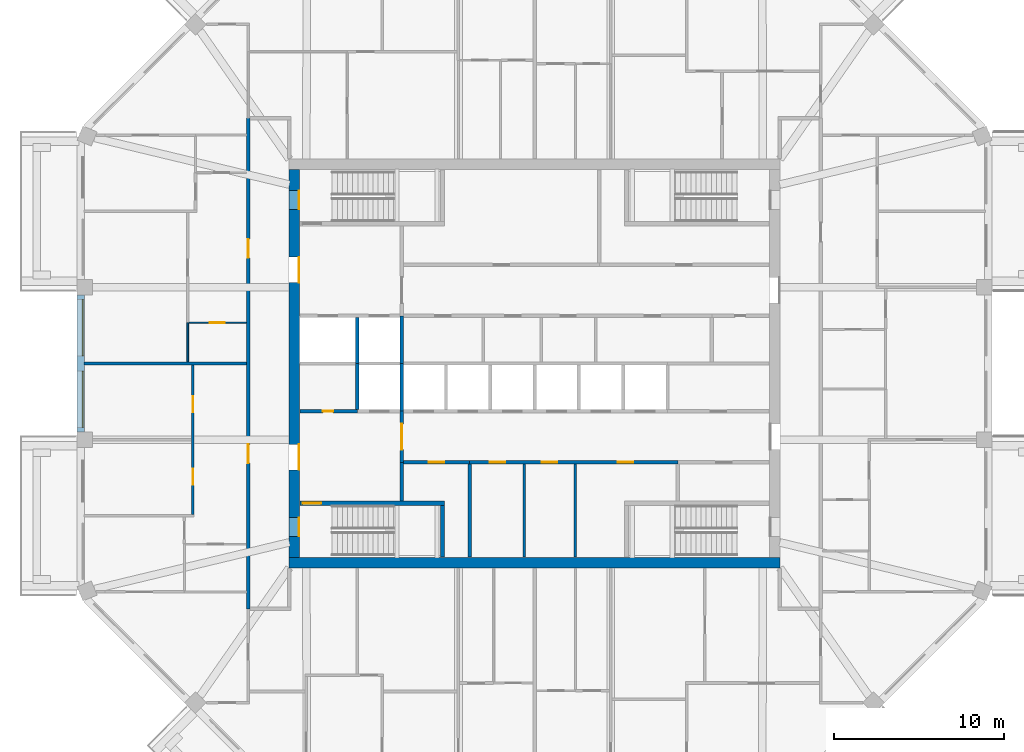
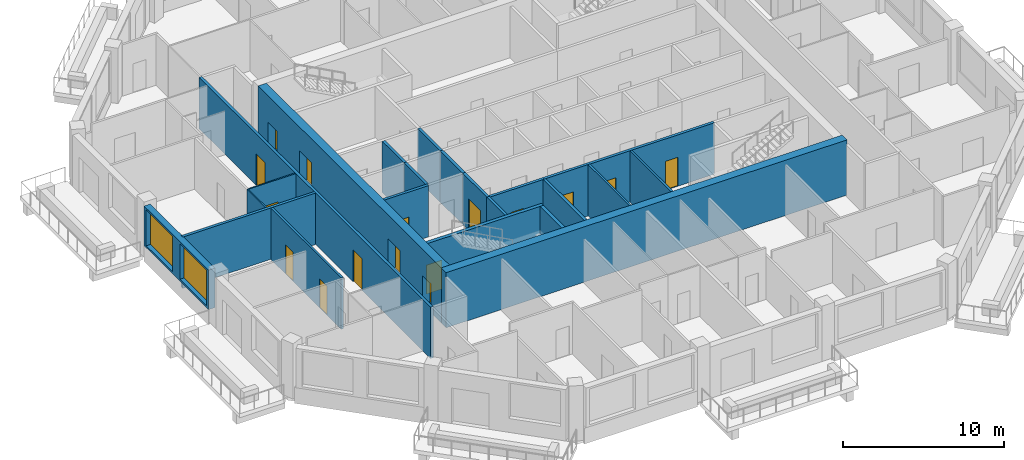
# One storey, part 4 of 12: 22 walls, 16 doors, 2 windows, 18 openings.
"""IFC4 building model written with IfcOpenShell, lengths in metres."""

from ifc_helpers import new_model, si_unit, direction, frame, frame_2d, origin, place, context, subcontext, project, spatial, rectangle, extrude, material, layer, layer_set, type_object, element, fill, save


model = new_model("IFC4")

# Units and contexts
model_context = context("Model", 3, precision=1e-05, world=origin(), true_north=direction((0.0, 1.0)))
body_context = subcontext(model_context, "Body", "Model", "MODEL_VIEW")
ifc_project = project(units=[si_unit("LENGTHUNIT", "METRE"), si_unit("AREAUNIT", "SQUARE_METRE"), si_unit("VOLUMEUNIT", "CUBIC_METRE"), si_unit("PLANEANGLEUNIT", "RADIAN"), si_unit("MASSUNIT", "GRAM", prefix="KILO")], contexts=[model_context])

# Site, building, storey
site_placement = place(None, origin())
site = spatial("IfcSite", under=ifc_project, at=site_placement, CompositionType="ELEMENT")
building_placement = place(site_placement, origin())
building = spatial("IfcBuilding", under=site, at=building_placement, Name="Msitu Wima Residences", CompositionType="ELEMENT")
storey_placement = place(building_placement, frame((0.0, 0.0, 310.5)))
storey = spatial("IfcBuildingStorey", under=building, at=storey_placement, Name="L72", CompositionType="ELEMENT", Elevation=310.5)

# Wall, openings, windows
ifc_material_1 = material(Name="Brick (red buff mix)", Category="masonry")
ifc_layer_1 = layer(ifc_material_1, 0.449951171875)
ifc_layer_set_1 = layer_set([ifc_layer_1], Name="Brick (red buff mix)")
wall_type_1 = type_object("IfcWallType", Name="Brick infill wall BW450", PredefinedType="SOLIDWALL", material=ifc_layer_set_1)
wall_1_placement = place(storey_placement, frame((-26.625, 4.0185546875, 0.89990234375), z_axis=(0.0, 0.0, 1.0), x_axis=(0.0, -1.0, 0.0)))
wall_1 = element("IfcWall", 1, at=wall_1_placement, inside=storey, type_object=wall_type_1, Name="Brick infill wall L72 W1", PredefinedType="SOLIDWALL", context=body_context, shape_type="SweptSolid", body=[
    extrude(rectangle(XDim=8.037109375, YDim=0.449951171875, at=frame_2d((4.0185546875, 0.0))), origin(), (0.0, 0.0, 1.0), 3.0),
])
opening_1_placement = place(wall_1_placement, frame((0.2685546875, 0.0, 0.14990234375)))
opening_1 = element("IfcOpeningElement", 2, at=opening_1_placement, cuts=wall_1, Name="Opening W72.028", PredefinedType="OPENING", context=body_context, shape_type="SweptSolid", body=[
    extrude(rectangle(XDim=3.300048828125, YDim=2.699951171875, at=frame_2d((1.64990234375, 1.35009765625))), frame((0.0, 0.23486328125, 0.0), z_axis=(0.0, -1.0, 0.0), x_axis=(1.0, 0.0, 0.0)), (0.0, 0.0, 1.0), 0.469970703125),
])
opening_2_placement = place(wall_1_placement, frame((4.46875, 0.0, 0.14990234375)))
opening_2 = element("IfcOpeningElement", 3, at=opening_2_placement, cuts=wall_1, Name="Opening W72.029", PredefinedType="OPENING", context=body_context, shape_type="SweptSolid", body=[
    extrude(rectangle(XDim=3.300048828125, YDim=2.699951171875, at=frame_2d((1.64990234375, 1.35009765625))), frame((0.0, 0.23486328125, 0.0), z_axis=(0.0, -1.0, 0.0), x_axis=(1.0, 0.0, 0.0)), (0.0, 0.0, 1.0), 0.469970703125),
])
ifc_material_2 = material(Name="Anodised aluminium, bronze finish, clear low-emissivity double glazing", Category="aluminium")
window_type = type_object("IfcWindowType", Name="Window W3300x2700", PartitioningType="DOUBLE_PANEL_VERTICAL", PredefinedType="WINDOW", material=ifc_material_2)
window_1_placement = place(opening_1_placement, origin())
window_1 = element("IfcWindow", 4, at=window_1_placement, inside=storey, type_object=window_type, Name="Window L72 W1.1", OverallHeight=2.699951171875, OverallWidth=3.300048828125, PartitioningType="SINGLE_PANEL", PredefinedType="WINDOW", context=body_context, shape_type="SweptSolid", body=[
    extrude(rectangle(XDim=3.300048828125, YDim=2.699951171875, at=frame_2d((1.64990234375, 1.35009765625))), frame((0.0, 0.135009765625, 0.0), z_axis=(0.0, -1.0, 0.0), x_axis=(1.0, 0.0, 0.0)), (0.0, 0.0, 1.0), 0.06005859375),
])
fill(opening_1, window_1)
window_2_placement = place(opening_2_placement, origin())
window_2 = element("IfcWindow", 5, at=window_2_placement, inside=storey, type_object=window_type, Name="Window L72 W1.2", OverallHeight=2.699951171875, OverallWidth=3.300048828125, PartitioningType="SINGLE_PANEL", PredefinedType="WINDOW", context=body_context, shape_type="SweptSolid", body=[
    extrude(rectangle(XDim=3.300048828125, YDim=2.699951171875, at=frame_2d((1.64990234375, 1.35009765625))), frame((0.0, 0.135009765625, 0.0), z_axis=(0.0, -1.0, 0.0), x_axis=(1.0, 0.0, 0.0)), (0.0, 0.0, 1.0), 0.06005859375),
])
fill(opening_2, window_2)

# Wall
ifc_material_3 = material(Name="Concrete C50/60", Category="concrete")
ifc_layer_2 = layer(ifc_material_3, 0.60009765625)
ifc_layer_set_2 = layer_set([ifc_layer_2], Name="Concrete C50/60")
wall_type_2 = type_object("IfcWallType", Name="Core wall CW600 C50/60", PredefinedType="SHEAR", material=ifc_layer_set_2)
wall_2_placement = place(storey_placement, frame((-14.39990234375, -11.699951171875, 0.0), z_axis=(0.0, 0.0, 1.0), x_axis=(1.0, 0.0, 0.0)))
element("IfcWall", 6, at=wall_2_placement, inside=storey, type_object=wall_type_2, Name="Core wall", PredefinedType="SHEAR", context=body_context, shape_type="SweptSolid", body=[
    extrude(rectangle(XDim=28.7998046875, YDim=0.60009765625, at=frame_2d((14.39990234375, 0.0))), origin(), (0.0, 0.0, 1.0), 4.199951171875),
])

# Wall, openings, doors
wall_3_placement = place(storey_placement, frame((-14.10009765625, -11.39990234375, 0.0), z_axis=(0.0, 0.0, 1.0), x_axis=(0.0, 1.0, 0.0)))
wall_3 = element("IfcWall", 7, at=wall_3_placement, inside=storey, type_object=wall_type_2, Name="Core wall", PredefinedType="SHEAR", context=body_context, shape_type="SweptSolid", body=[
    extrude(rectangle(XDim=22.7998046875, YDim=0.60009765625, at=frame_2d((11.39990234375, 0.0))), origin(), (0.0, 0.0, 1.0), 4.199951171875),
])
opening_3_placement = place(wall_3_placement, frame((20.449951171875, 0.0, 0.0)))
opening_3 = element("IfcOpeningElement", 8, at=opening_3_placement, cuts=wall_3, Name="Opening D72.084", PredefinedType="OPENING", context=body_context, shape_type="SweptSolid", body=[
    extrude(rectangle(XDim=1.10009765625, YDim=2.199951171875, at=frame_2d((0.550048828125, 1.10009765625))), frame((0.0, 0.31005859375, 0.0), z_axis=(0.0, -1.0, 0.0), x_axis=(1.0, 0.0, 0.0)), (0.0, 0.0, 1.0), 0.6201171875),
])
opening_4_placement = place(wall_3_placement, frame((1.25, 0.0, 0.0)))
opening_4 = element("IfcOpeningElement", 9, at=opening_4_placement, cuts=wall_3, Name="Opening D72.086", PredefinedType="OPENING", context=body_context, shape_type="SweptSolid", body=[
    extrude(rectangle(XDim=1.10009765625, YDim=2.199951171875, at=frame_2d((0.550048828125, 1.10009765625))), frame((0.0, 0.31005859375, 0.0), z_axis=(0.0, -1.0, 0.0), x_axis=(1.0, 0.0, 0.0)), (0.0, 0.0, 1.0), 0.6201171875),
])
opening_5_placement = place(wall_3_placement, frame((16.14990234375, 0.0, 0.0)))
opening_5 = element("IfcOpeningElement", 10, at=opening_5_placement, cuts=wall_3, Name="Opening D72.065", PredefinedType="OPENING", context=body_context, shape_type="SweptSolid", body=[
    extrude(rectangle(XDim=1.5, YDim=2.39990234375, at=frame_2d((0.75, 1.199951171875))), frame((0.0, 0.31005859375, 0.0), z_axis=(0.0, -1.0, 0.0), x_axis=(1.0, 0.0, 0.0)), (0.0, 0.0, 1.0), 0.6201171875),
])
opening_6_placement = place(wall_3_placement, frame((5.14990234375, 0.0, 0.0)))
opening_6 = element("IfcOpeningElement", 11, at=opening_6_placement, cuts=wall_3, Name="Opening D72.067", PredefinedType="OPENING", context=body_context, shape_type="SweptSolid", body=[
    extrude(rectangle(XDim=1.5, YDim=2.39990234375, at=frame_2d((0.75, 1.199951171875))), frame((0.0, 0.31005859375, 0.0), z_axis=(0.0, -1.0, 0.0), x_axis=(1.0, 0.0, 0.0)), (0.0, 0.0, 1.0), 0.6201171875),
])
ifc_material_4 = material(Name="Steel framed glazed door, fire resisting", Category="steel")
door_type_1 = type_object("IfcDoorType", Name="Lobby door D07 1500x2400", OperationType="DOUBLE_DOOR_SINGLE_SWING", PredefinedType="DOOR", material=ifc_material_4)
door_1_placement = place(opening_5_placement, origin())
door_1 = element("IfcDoor", 12, at=door_1_placement, inside=storey, type_object=door_type_1, Name="Lobby door", OperationType="DOUBLE_DOOR_SINGLE_SWING", OverallHeight=2.39990234375, OverallWidth=1.5, PredefinedType="DOOR", context=body_context, shape_type="SweptSolid", body=[
    extrude(rectangle(XDim=1.5, YDim=2.39990234375, at=frame_2d((0.75, 1.199951171875))), frame((0.0, -0.2451171875, 0.0), z_axis=(0.0, -1.0, 0.0), x_axis=(1.0, 0.0, 0.0)), (0.0, 0.0, 1.0), 0.050048828125),
])
fill(opening_5, door_1)
door_2_placement = place(opening_6_placement, origin())
door_2 = element("IfcDoor", 13, at=door_2_placement, inside=storey, type_object=door_type_1, Name="Lobby door", OperationType="DOUBLE_DOOR_SINGLE_SWING", OverallHeight=2.39990234375, OverallWidth=1.5, PredefinedType="DOOR", context=body_context, shape_type="SweptSolid", body=[
    extrude(rectangle(XDim=1.5, YDim=2.39990234375, at=frame_2d((0.75, 1.199951171875))), frame((0.0, -0.2451171875, 0.0), z_axis=(0.0, -1.0, 0.0), x_axis=(1.0, 0.0, 0.0)), (0.0, 0.0, 1.0), 0.050048828125),
])
fill(opening_6, door_2)
ifc_material_5 = material(Name="Steel door, fire resisting, panic bar", Category="steel")
door_type_2 = type_object("IfcDoorType", Name="Stair door D06 1100x2200", OperationType="SINGLE_SWING_LEFT", PredefinedType="DOOR", material=ifc_material_5)
door_3_placement = place(opening_3_placement, origin())
door_3 = element("IfcDoor", 14, at=door_3_placement, inside=storey, type_object=door_type_2, Name="Stair door", OperationType="SINGLE_SWING_RIGHT", OverallHeight=2.199951171875, OverallWidth=1.10009765625, PredefinedType="DOOR", context=body_context, shape_type="SweptSolid", body=[
    extrude(rectangle(XDim=1.10009765625, YDim=2.199951171875, at=frame_2d((0.550048828125, 1.10009765625))), frame((0.0, -0.2451171875, 0.0), z_axis=(0.0, -1.0, 0.0), x_axis=(1.0, 0.0, 0.0)), (0.0, 0.0, 1.0), 0.050048828125),
])
fill(opening_3, door_3)
door_4_placement = place(opening_4_placement, origin())
door_4 = element("IfcDoor", 15, at=door_4_placement, inside=storey, type_object=door_type_2, Name="Stair door", OperationType="SINGLE_SWING_LEFT", OverallHeight=2.199951171875, OverallWidth=1.10009765625, PredefinedType="DOOR", context=body_context, shape_type="SweptSolid", body=[
    extrude(rectangle(XDim=1.10009765625, YDim=2.199951171875, at=frame_2d((0.550048828125, 1.10009765625))), frame((0.0, -0.2451171875, 0.0), z_axis=(0.0, -1.0, 0.0), x_axis=(1.0, 0.0, 0.0)), (0.0, 0.0, 1.0), 0.050048828125),
])
fill(opening_4, door_4)

ifc_material_6 = material(Name="Plaster")
ifc_layer_3 = layer(ifc_material_6, 0.011962890625, Name="Plaster")
ifc_material_7 = material(Name="Concrete blockwork", Category="masonry")
ifc_layer_4 = layer(ifc_material_7, 0.176025390625, Name="Concrete blockwork")
ifc_layer_5 = layer(ifc_material_6, 0.011962890625, Name="Plaster")
ifc_layer_set_3 = layer_set([ifc_layer_3, ifc_layer_4, ifc_layer_5], Name="Concrete blockwork")
wall_type_3 = type_object("IfcWallType", Name="Corridor wall FW200", PredefinedType="PARTITIONING", material=ifc_layer_set_3)
wall_4_placement = place(storey_placement, frame((-16.800048828125, -14.39990234375, 0.0), z_axis=(0.0, 0.0, 1.0), x_axis=(0.0, 1.0, 0.0)))
wall_4 = element("IfcWall", 16, at=wall_4_placement, inside=storey, type_object=wall_type_3, Name="Corridor wall", PredefinedType="PARTITIONING", context=body_context, shape_type="SweptSolid", body=[
    extrude(rectangle(XDim=28.7998046875, YDim=0.199951171875, at=frame_2d((14.39990234375, 0.0))), origin(), (0.0, 0.0, 1.0), 3.89990234375),
])
opening_7_placement = place(wall_4_placement, frame((20.60009765625, 0.0, 0.0)))
opening_7 = element("IfcOpeningElement", 17, at=opening_7_placement, cuts=wall_4, Name="Opening D72.037", PredefinedType="OPENING", context=body_context, shape_type="SweptSolid", body=[
    extrude(rectangle(XDim=1.10009765625, YDim=2.39990234375, at=frame_2d((0.550048828125, 1.199951171875))), frame((0.0, 0.10986328125, 0.0), z_axis=(0.0, -1.0, 0.0), x_axis=(1.0, 0.0, 0.0)), (0.0, 0.0, 1.0), 0.219970703125),
])
opening_8_placement = place(wall_4_placement, frame((8.550048828125, 0.0, 0.0)))
opening_8 = element("IfcOpeningElement", 18, at=opening_8_placement, cuts=wall_4, Name="Opening D72.050", PredefinedType="OPENING", context=body_context, shape_type="SweptSolid", body=[
    extrude(rectangle(XDim=1.10009765625, YDim=2.39990234375, at=frame_2d((0.550048828125, 1.199951171875))), frame((0.0, 0.10986328125, 0.0), z_axis=(0.0, -1.0, 0.0), x_axis=(1.0, 0.0, 0.0)), (0.0, 0.0, 1.0), 0.219970703125),
])
ifc_material_8 = material(Name="Timber flush door, fire resisting, self-closing", Category="wood")
door_type_3 = type_object("IfcDoorType", Name="Flat entrance door D01 1100x2400", OperationType="SINGLE_SWING_LEFT", PredefinedType="DOOR", material=ifc_material_8)
door_5_placement = place(opening_7_placement, origin())
door_5 = element("IfcDoor", 19, at=door_5_placement, inside=storey, type_object=door_type_3, Name="Flat entrance door", OperationType="SINGLE_SWING_RIGHT", OverallHeight=2.39990234375, OverallWidth=1.10009765625, PredefinedType="DOOR", context=body_context, shape_type="SweptSolid", body=[
    extrude(rectangle(XDim=1.10009765625, YDim=2.39990234375, at=frame_2d((0.550048828125, 1.199951171875))), frame((0.0, 0.02490234375, 0.0), z_axis=(0.0, -1.0, 0.0), x_axis=(1.0, 0.0, 0.0)), (0.0, 0.0, 1.0), 0.050048828125),
])
fill(opening_7, door_5)
door_6_placement = place(opening_8_placement, origin())
door_6 = element("IfcDoor", 20, at=door_6_placement, inside=storey, type_object=door_type_3, Name="Flat entrance door", OperationType="SINGLE_SWING_LEFT", OverallHeight=2.39990234375, OverallWidth=1.10009765625, PredefinedType="DOOR", context=body_context, shape_type="SweptSolid", body=[
    extrude(rectangle(XDim=1.10009765625, YDim=2.39990234375, at=frame_2d((0.550048828125, 1.199951171875))), frame((0.0, 0.02490234375, 0.0), z_axis=(0.0, -1.0, 0.0), x_axis=(1.0, 0.0, 0.0)), (0.0, 0.0, 1.0), 0.050048828125),
])
fill(opening_8, door_6)

# Wall, opening, door
wall_5_placement = place(storey_placement, frame((-7.800048828125, -5.800048828125, 0.0), z_axis=(0.0, 0.0, 1.0), x_axis=(0.0, 1.0, 0.0)))
wall_5 = element("IfcWall", 21, at=wall_5_placement, inside=storey, type_object=wall_type_3, Name="Corridor wall", PredefinedType="PARTITIONING", context=body_context, shape_type="SweptSolid", body=[
    extrude(rectangle(XDim=3.0, YDim=0.199951171875, at=frame_2d((1.5, 0.0))), origin(), (0.0, 0.0, 1.0), 3.89990234375),
])
opening_9_placement = place(wall_5_placement, frame((0.75, 0.0, 0.0)))
opening_9 = element("IfcOpeningElement", 22, at=opening_9_placement, cuts=wall_5, Name="Opening D72.068", PredefinedType="OPENING", context=body_context, shape_type="SweptSolid", body=[
    extrude(rectangle(XDim=1.5, YDim=2.39990234375, at=frame_2d((0.75, 1.199951171875))), frame((0.0, 0.10986328125, 0.0), z_axis=(0.0, -1.0, 0.0), x_axis=(1.0, 0.0, 0.0)), (0.0, 0.0, 1.0), 0.219970703125),
])
door_7_placement = place(opening_9_placement, origin())
door_7 = element("IfcDoor", 23, at=door_7_placement, inside=storey, type_object=door_type_1, Name="Lobby door", OperationType="DOUBLE_DOOR_SINGLE_SWING", OverallHeight=2.39990234375, OverallWidth=1.5, PredefinedType="DOOR", context=body_context, shape_type="SweptSolid", body=[
    extrude(rectangle(XDim=1.5, YDim=2.39990234375, at=frame_2d((0.75, 1.199951171875))), frame((0.0, 0.02490234375, 0.0), z_axis=(0.0, -1.0, 0.0), x_axis=(1.0, 0.0, 0.0)), (0.0, 0.0, 1.0), 0.050048828125),
])
fill(opening_9, door_7)

# Wall, openings, doors
wall_6_placement = place(storey_placement, frame((-3.820068359375, -5.800048828125, 0.0), z_axis=(0.0, 0.0, 1.0), x_axis=(1.0, 0.0, 0.0)))
wall_6 = element("IfcWall", 24, at=wall_6_placement, inside=storey, type_object=wall_type_3, Name="Corridor wall", PredefinedType="PARTITIONING", context=body_context, shape_type="SweptSolid", body=[
    extrude(rectangle(XDim=12.239990234375, YDim=0.199951171875, at=frame_2d((6.1201171875, 0.0))), origin(), (0.0, 0.0, 1.0), 3.89990234375),
])
opening_10_placement = place(wall_6_placement, frame((1.199951171875, 0.0, 0.0)))
opening_10 = element("IfcOpeningElement", 25, at=opening_10_placement, cuts=wall_6, Name="Opening D72.072", PredefinedType="OPENING", context=body_context, shape_type="SweptSolid", body=[
    extrude(rectangle(XDim=0.89990234375, YDim=2.199951171875, at=frame_2d((0.449951171875, 1.10009765625))), frame((0.0, 0.10986328125, 0.0), z_axis=(0.0, -1.0, 0.0), x_axis=(1.0, 0.0, 0.0)), (0.0, 0.0, 1.0), 0.219970703125),
])
opening_11_placement = place(wall_6_placement, frame((4.25, 0.0, 0.0)))
opening_11 = element("IfcOpeningElement", 26, at=opening_11_placement, cuts=wall_6, Name="Opening D72.073", PredefinedType="OPENING", context=body_context, shape_type="SweptSolid", body=[
    extrude(rectangle(XDim=0.89990234375, YDim=2.199951171875, at=frame_2d((0.449951171875, 1.10009765625))), frame((0.0, 0.10986328125, 0.0), z_axis=(0.0, -1.0, 0.0), x_axis=(1.0, 0.0, 0.0)), (0.0, 0.0, 1.0), 0.219970703125),
])
opening_12_placement = place(wall_6_placement, frame((8.699951171875, 0.0, 0.0)))
opening_12 = element("IfcOpeningElement", 27, at=opening_12_placement, cuts=wall_6, Name="Opening D72.074", PredefinedType="OPENING", context=body_context, shape_type="SweptSolid", body=[
    extrude(rectangle(XDim=0.89990234375, YDim=2.199951171875, at=frame_2d((0.449951171875, 1.10009765625))), frame((0.0, 0.10986328125, 0.0), z_axis=(0.0, -1.0, 0.0), x_axis=(1.0, 0.0, 0.0)), (0.0, 0.0, 1.0), 0.219970703125),
])
ifc_material_9 = material(Name="Timber flush door", Category="wood")
door_type_4 = type_object("IfcDoorType", Name="Service door D05 900x2200", OperationType="SINGLE_SWING_LEFT", PredefinedType="DOOR", material=ifc_material_9)
door_8_placement = place(opening_10_placement, origin())
door_8 = element("IfcDoor", 28, at=door_8_placement, inside=storey, type_object=door_type_4, Name="Service door", OperationType="SINGLE_SWING_LEFT", OverallHeight=2.199951171875, OverallWidth=0.89990234375, PredefinedType="DOOR", context=body_context, shape_type="SweptSolid", body=[
    extrude(rectangle(XDim=0.89990234375, YDim=2.199951171875, at=frame_2d((0.449951171875, 1.10009765625))), frame((0.0, 0.02490234375, 0.0), z_axis=(0.0, -1.0, 0.0), x_axis=(1.0, 0.0, 0.0)), (0.0, 0.0, 1.0), 0.050048828125),
])
fill(opening_10, door_8)
door_9_placement = place(opening_11_placement, origin())
door_9 = element("IfcDoor", 29, at=door_9_placement, inside=storey, type_object=door_type_4, Name="Service door", OperationType="SINGLE_SWING_RIGHT", OverallHeight=2.199951171875, OverallWidth=0.89990234375, PredefinedType="DOOR", context=body_context, shape_type="SweptSolid", body=[
    extrude(rectangle(XDim=0.89990234375, YDim=2.199951171875, at=frame_2d((0.449951171875, 1.10009765625))), frame((0.0, 0.02490234375, 0.0), z_axis=(0.0, -1.0, 0.0), x_axis=(1.0, 0.0, 0.0)), (0.0, 0.0, 1.0), 0.050048828125),
])
fill(opening_11, door_9)
door_10_placement = place(opening_12_placement, origin())
door_10 = element("IfcDoor", 30, at=door_10_placement, inside=storey, type_object=door_type_4, Name="Service door", OperationType="SINGLE_SWING_RIGHT", OverallHeight=2.199951171875, OverallWidth=0.89990234375, PredefinedType="DOOR", context=body_context, shape_type="SweptSolid", body=[
    extrude(rectangle(XDim=0.89990234375, YDim=2.199951171875, at=frame_2d((0.449951171875, 1.10009765625))), frame((0.0, 0.02490234375, 0.0), z_axis=(0.0, -1.0, 0.0), x_axis=(1.0, 0.0, 0.0)), (0.0, 0.0, 1.0), 0.050048828125),
])
fill(opening_12, door_10)

ifc_layer_6 = layer(ifc_material_6, 0.011962890625, Name="Plaster")
ifc_layer_7 = layer(ifc_material_7, 0.1259765625, Name="Concrete blockwork")
ifc_layer_8 = layer(ifc_material_6, 0.011962890625, Name="Plaster")
ifc_layer_set_4 = layer_set([ifc_layer_6, ifc_layer_7, ifc_layer_8], Name="Concrete blockwork")
wall_type_4 = type_object("IfcWallType", Name="Partition PW150", PredefinedType="PARTITIONING", material=ifc_layer_set_4)
wall_7_placement = place(storey_placement, frame((-20.050048828125, -8.8623046875, 0.0), z_axis=(0.0, 0.0, 1.0), x_axis=(0.0, 1.0, 0.0)))
wall_7 = element("IfcWall", 31, at=wall_7_placement, inside=storey, type_object=wall_type_4, Name="Partition", PredefinedType="PARTITIONING", context=body_context, shape_type="SweptSolid", body=[
    extrude(rectangle(XDim=8.76220703125, YDim=0.14990234375, at=frame_2d((4.381103515625, 0.0))), origin(), (0.0, 0.0, 1.0), 3.89990234375),
])
opening_13_placement = place(wall_7_placement, frame((6.0, 0.0, 0.0)))
opening_13 = element("IfcOpeningElement", 32, at=opening_13_placement, cuts=wall_7, Name="Opening D72.056", PredefinedType="OPENING", context=body_context, shape_type="SweptSolid", body=[
    extrude(rectangle(XDim=0.949951171875, YDim=2.199951171875, at=frame_2d((0.47509765625, 1.10009765625))), frame((0.0, 0.0849609375, 0.0), z_axis=(0.0, -1.0, 0.0), x_axis=(1.0, 0.0, 0.0)), (0.0, 0.0, 1.0), 0.169921875),
])
opening_14_placement = place(wall_7_placement, frame((1.75, 0.0, 0.0)))
opening_14 = element("IfcOpeningElement", 33, at=opening_14_placement, cuts=wall_7, Name="Opening D72.057", PredefinedType="OPENING", context=body_context, shape_type="SweptSolid", body=[
    extrude(rectangle(XDim=0.949951171875, YDim=2.199951171875, at=frame_2d((0.47509765625, 1.10009765625))), frame((0.0, 0.0849609375, 0.0), z_axis=(0.0, -1.0, 0.0), x_axis=(1.0, 0.0, 0.0)), (0.0, 0.0, 1.0), 0.169921875),
])
door_type_5 = type_object("IfcDoorType", Name="Room door D12 950x2200", OperationType="SINGLE_SWING_LEFT", PredefinedType="DOOR", material=ifc_material_9)
door_11_placement = place(opening_13_placement, origin())
door_11 = element("IfcDoor", 34, at=door_11_placement, inside=storey, type_object=door_type_5, Name="Room door", OperationType="SINGLE_SWING_LEFT", OverallHeight=2.199951171875, OverallWidth=0.949951171875, PredefinedType="DOOR", context=body_context, shape_type="SweptSolid", body=[
    extrude(rectangle(XDim=0.949951171875, YDim=2.199951171875, at=frame_2d((0.47509765625, 1.10009765625))), frame((0.0, 0.02490234375, 0.0), z_axis=(0.0, -1.0, 0.0), x_axis=(1.0, 0.0, 0.0)), (0.0, 0.0, 1.0), 0.050048828125),
])
fill(opening_13, door_11)
door_12_placement = place(opening_14_placement, origin())
door_12 = element("IfcDoor", 35, at=door_12_placement, inside=storey, type_object=door_type_5, Name="Room door", OperationType="SINGLE_SWING_RIGHT", OverallHeight=2.199951171875, OverallWidth=0.949951171875, PredefinedType="DOOR", context=body_context, shape_type="SweptSolid", body=[
    extrude(rectangle(XDim=0.949951171875, YDim=2.199951171875, at=frame_2d((0.47509765625, 1.10009765625))), frame((0.0, 0.02490234375, 0.0), z_axis=(0.0, -1.0, 0.0), x_axis=(1.0, 0.0, 0.0)), (0.0, 0.0, 1.0), 0.050048828125),
])
fill(opening_14, door_12)

# Walls
for number, where, z_axis, x_axis, name in (
    (36, (-0.60009765625, -11.3701171875, 0.0), (0.0, 0.0, 1.0), (0.0, 1.0, 0.0), "Partition"),
    (37, (2.39990234375, -11.3701171875, 0.0), (0.0, 0.0, 1.0), (0.0, 1.0, 0.0), "Partition"),
):
    element("IfcWall", number, at=place(storey_placement, frame(where, z_axis=z_axis, x_axis=x_axis)), inside=storey, type_object=wall_type_4, Name=name, PredefinedType="PARTITIONING", context=body_context, shape_type="SweptSolid", body=[
        extrude(rectangle(XDim=5.47021484375, YDim=0.14990234375, at=frame_2d((2.735107421875, 0.0))), origin(), (0.0, 0.0, 1.0), 3.89990234375),
    ])
ifc_layer_9 = layer(ifc_material_6, 0.011962890625, Name="Plaster")
ifc_material_10 = material(Name="Dense concrete blockwork", Category="masonry")
ifc_layer_10 = layer(ifc_material_10, 0.176025390625, Name="Dense concrete blockwork")
ifc_layer_11 = layer(ifc_material_6, 0.011962890625, Name="Plaster")
ifc_layer_set_5 = layer_set([ifc_layer_9, ifc_layer_10, ifc_layer_11], Name="Dense concrete blockwork")
wall_type_5 = type_object("IfcWallType", Name="Party wall PW200", PredefinedType="PARTITIONING", material=ifc_layer_set_5)
wall_8_placement = place(storey_placement, frame((-26.455078125, 0.0, 0.0), z_axis=(0.0, 0.0, 1.0), x_axis=(1.0, 0.0, 0.0)))
element("IfcWall", 38, at=wall_8_placement, inside=storey, type_object=wall_type_5, Name="Party wall", PredefinedType="PARTITIONING", context=body_context, shape_type="SweptSolid", body=[
    extrude(rectangle(XDim=9.55517578125, YDim=0.199951171875, at=frame_2d((4.777587890625, 0.0))), origin(), (0.0, 0.0, 1.0), 3.89990234375),
])

# Wall, opening, door
ifc_layer_12 = layer(ifc_material_6, 0.011962890625, Name="Plaster")
ifc_material_11 = material(Name="Reinforced concrete blockwork", Category="masonry")
ifc_layer_13 = layer(ifc_material_11, 0.176025390625, Name="Reinforced concrete blockwork")
ifc_layer_14 = layer(ifc_material_6, 0.011962890625, Name="Plaster")
ifc_layer_set_6 = layer_set([ifc_layer_12, ifc_layer_13, ifc_layer_14], Name="Reinforced concrete blockwork")
wall_type_6 = type_object("IfcWallType", Name="Plant and riser wall PL200", PredefinedType="PARTITIONING", material=ifc_layer_set_6)
wall_9_placement = place(storey_placement, frame((-13.77001953125, -2.800048828125, 0.0), z_axis=(0.0, 0.0, 1.0), x_axis=(1.0, 0.0, 0.0)))
wall_9 = element("IfcWall", 39, at=wall_9_placement, inside=storey, type_object=wall_type_6, Name="Plant and riser wall", PredefinedType="PARTITIONING", context=body_context, shape_type="SweptSolid", body=[
    extrude(rectangle(XDim=3.3701171875, YDim=0.199951171875, at=frame_2d((1.68505859375, 0.0))), origin(), (0.0, 0.0, 1.0), 3.89990234375),
])
opening_15_placement = place(wall_9_placement, frame((1.35009765625, 0.0, 0.0)))
opening_15 = element("IfcOpeningElement", 40, at=opening_15_placement, cuts=wall_9, Name="Opening D72.083", PredefinedType="OPENING", context=body_context, shape_type="SweptSolid", body=[
    extrude(rectangle(XDim=0.60009765625, YDim=2.0, at=frame_2d((0.300048828125, 1.0))), frame((0.0, 0.10986328125, 0.0), z_axis=(0.0, -1.0, 0.0), x_axis=(1.0, 0.0, 0.0)), (0.0, 0.0, 1.0), 0.219970703125),
])
ifc_material_12 = material(Name="Steel access door, fire resisting", Category="steel")
door_type_6 = type_object("IfcDoorType", Name="Riser access door D08 600x2000", OperationType="SINGLE_SWING_LEFT", PredefinedType="DOOR", material=ifc_material_12)
door_13_placement = place(opening_15_placement, origin())
door_13 = element("IfcDoor", 41, at=door_13_placement, inside=storey, type_object=door_type_6, Name="Riser access door", OperationType="SINGLE_SWING_RIGHT", OverallHeight=2.0, OverallWidth=0.60009765625, PredefinedType="DOOR", context=body_context, shape_type="SweptSolid", body=[
    extrude(rectangle(XDim=0.60009765625, YDim=2.0, at=frame_2d((0.300048828125, 1.0))), frame((0.0, 0.02490234375, 0.0), z_axis=(0.0, -1.0, 0.0), x_axis=(1.0, 0.0, 0.0)), (0.0, 0.0, 1.0), 0.050048828125),
])
fill(opening_15, door_13)

# Wall
wall_10_placement = place(storey_placement, frame((-7.800048828125, -8.074951171875, 0.0), z_axis=(0.0, 0.0, 1.0), x_axis=(0.0, 1.0, 0.0)))
element("IfcWall", 42, at=wall_10_placement, inside=storey, type_object=wall_type_6, Name="Plant and riser wall", PredefinedType="PARTITIONING", context=body_context, shape_type="SweptSolid", body=[
    extrude(rectangle(XDim=2.27490234375, YDim=0.199951171875, at=frame_2d((1.137451171875, 0.0))), origin(), (0.0, 0.0, 1.0), 3.89990234375),
])

# Wall, opening, door
wall_11_placement = place(storey_placement, frame((-7.699951171875, -5.800048828125, 0.0), z_axis=(0.0, 0.0, 1.0), x_axis=(1.0, 0.0, 0.0)))
wall_11 = element("IfcWall", 43, at=wall_11_placement, inside=storey, type_object=wall_type_6, Name="Plant and riser wall", PredefinedType="PARTITIONING", context=body_context, shape_type="SweptSolid", body=[
    extrude(rectangle(XDim=3.8798828125, YDim=0.199951171875, at=frame_2d((1.93994140625, 0.0))), origin(), (0.0, 0.0, 1.0), 3.89990234375),
])
opening_16_placement = place(wall_11_placement, frame((1.5, 0.0, 0.0)))
opening_16 = element("IfcOpeningElement", 44, at=opening_16_placement, cuts=wall_11, Name="Opening D72.071", PredefinedType="OPENING", context=body_context, shape_type="SweptSolid", body=[
    extrude(rectangle(XDim=0.89990234375, YDim=2.199951171875, at=frame_2d((0.449951171875, 1.10009765625))), frame((0.0, 0.10986328125, 0.0), z_axis=(0.0, -1.0, 0.0), x_axis=(1.0, 0.0, 0.0)), (0.0, 0.0, 1.0), 0.219970703125),
])
door_14_placement = place(opening_16_placement, origin())
door_14 = element("IfcDoor", 45, at=door_14_placement, inside=storey, type_object=door_type_4, Name="Service door", OperationType="SINGLE_SWING_LEFT", OverallHeight=2.199951171875, OverallWidth=0.89990234375, PredefinedType="DOOR", context=body_context, shape_type="SweptSolid", body=[
    extrude(rectangle(XDim=0.89990234375, YDim=2.199951171875, at=frame_2d((0.449951171875, 1.10009765625))), frame((0.0, 0.02490234375, 0.0), z_axis=(0.0, -1.0, 0.0), x_axis=(1.0, 0.0, 0.0)), (0.0, 0.0, 1.0), 0.050048828125),
])
fill(opening_16, door_14)

# Walls
wall_12_placement = place(storey_placement, frame((-3.800048828125, -11.3701171875, 0.0), z_axis=(0.0, 0.0, 1.0), x_axis=(0.0, 1.0, 0.0)))
element("IfcWall", 46, at=wall_12_placement, inside=storey, type_object=wall_type_6, Name="Plant and riser wall", PredefinedType="PARTITIONING", context=body_context, shape_type="SweptSolid", body=[
    extrude(rectangle(XDim=5.47021484375, YDim=0.199951171875, at=frame_2d((2.735107421875, 0.0))), origin(), (0.0, 0.0, 1.0), 3.89990234375),
])
ifc_material_13 = material(Name="Fire-rated board")
ifc_layer_15 = layer(ifc_material_13, 0.02490234375, Name="Fire-rated board")
ifc_material_14 = material(Name="Light-gauge stud framing with mineral wool")
ifc_layer_16 = layer(ifc_material_14, 0.14990234375, Name="Light-gauge stud framing with mineral wool")
ifc_layer_17 = layer(ifc_material_13, 0.02490234375, Name="Fire-rated board")
ifc_layer_set_7 = layer_set([ifc_layer_15, ifc_layer_16, ifc_layer_17], Name="Light-gauge stud framing with mineral wool")
wall_type_7 = type_object("IfcWallType", Name="Shaft wall SH200", PredefinedType="PARTITIONING", material=ifc_layer_set_7)
for number, where, z_axis, x_axis, name in (
    (47, (-10.39990234375, -2.699951171875, 0.0), (0.0, 0.0, 1.0), (0.0, 1.0, 0.0), "Shaft wall"),
    (48, (-10.39990234375, 0.0, 0.0), (0.0, 0.0, 1.0), (0.0, 1.0, 0.0), "Shaft wall"),
):
    element("IfcWall", number, at=place(storey_placement, frame(where, z_axis=z_axis, x_axis=x_axis)), inside=storey, type_object=wall_type_7, Name=name, PredefinedType="PARTITIONING", context=body_context, shape_type="SweptSolid", body=[
        extrude(rectangle(XDim=2.699951171875, YDim=0.199951171875, at=frame_2d((1.35009765625, 0.0))), origin(), (0.0, 0.0, 1.0), 3.89990234375),
    ])
for number, where, z_axis, x_axis, name in (
    (49, (-7.800048828125, -2.800048828125, 0.0), (0.0, 0.0, 1.0), (0.0, 1.0, 0.0), "Shaft wall"),
    (50, (-7.800048828125, 0.0, 0.0), (0.0, 0.0, 1.0), (0.0, 1.0, 0.0), "Shaft wall"),
):
    element("IfcWall", number, at=place(storey_placement, frame(where, z_axis=z_axis, x_axis=x_axis)), inside=storey, type_object=wall_type_7, Name=name, PredefinedType="PARTITIONING", context=body_context, shape_type="SweptSolid", body=[
        extrude(rectangle(XDim=2.800048828125, YDim=0.199951171875, at=frame_2d((1.39990234375, 0.0))), origin(), (0.0, 0.0, 1.0), 3.89990234375),
    ])

# Wall, opening, door
ifc_layer_18 = layer(ifc_material_3, 0.25)
ifc_layer_set_8 = layer_set([ifc_layer_18], Name="Concrete C50/60")
wall_type_8 = type_object("IfcWallType", Name="Stair enclosure wall SW250", PredefinedType="SHEAR", material=ifc_layer_set_8)
wall_13_placement = place(storey_placement, frame((-13.77001953125, -8.199951171875, 0.0), z_axis=(0.0, 0.0, 1.0), x_axis=(1.0, 0.0, 0.0)))
wall_13 = element("IfcWall", 51, at=wall_13_placement, inside=storey, type_object=wall_type_8, Name="Stair enclosure wall", PredefinedType="SHEAR", context=body_context, shape_type="SweptSolid", body=[
    extrude(rectangle(XDim=8.4951171875, YDim=0.25, at=frame_2d((4.24755859375, 0.0))), origin(), (0.0, 0.0, 1.0), 3.89990234375),
])
opening_17_placement = place(wall_13_placement, frame((0.14990234375, 0.0, 0.0)))
opening_17 = element("IfcOpeningElement", 52, at=opening_17_placement, cuts=wall_13, Name="Opening D72.087", PredefinedType="OPENING", context=body_context, shape_type="SweptSolid", body=[
    extrude(rectangle(XDim=1.10009765625, YDim=2.199951171875, at=frame_2d((0.550048828125, 1.10009765625))), frame((0.0, 0.135009765625, 0.0), z_axis=(0.0, -1.0, 0.0), x_axis=(1.0, 0.0, 0.0)), (0.0, 0.0, 1.0), 0.27001953125),
])
door_15_placement = place(opening_17_placement, origin())
door_15 = element("IfcDoor", 53, at=door_15_placement, inside=storey, type_object=door_type_2, Name="Stair door", OperationType="SINGLE_SWING_RIGHT", OverallHeight=2.199951171875, OverallWidth=1.10009765625, PredefinedType="DOOR", context=body_context, shape_type="SweptSolid", body=[
    extrude(rectangle(XDim=1.10009765625, YDim=2.199951171875, at=frame_2d((0.550048828125, 1.10009765625))), frame((0.0, 0.02490234375, 0.0), z_axis=(0.0, -1.0, 0.0), x_axis=(1.0, 0.0, 0.0)), (0.0, 0.0, 1.0), 0.050048828125),
])
fill(opening_17, door_15)

# Walls
wall_14_placement = place(storey_placement, frame((-5.39990234375, -11.3701171875, 0.0), z_axis=(0.0, 0.0, 1.0), x_axis=(0.0, 1.0, 0.0)))
element("IfcWall", 54, at=wall_14_placement, inside=storey, type_object=wall_type_8, Name="Stair enclosure wall", PredefinedType="SHEAR", context=body_context, shape_type="SweptSolid", body=[
    extrude(rectangle(XDim=3.045166015625, YDim=0.25, at=frame_2d((1.5224609375, 0.0))), origin(), (0.0, 0.0, 1.0), 3.89990234375),
])
ifc_material_15 = material(Name="Ceramic tiles")
ifc_layer_19 = layer(ifc_material_15, 0.008056640625, Name="Ceramic tiles")
ifc_material_16 = material(Name="Moisture-resistant board")
ifc_layer_20 = layer(ifc_material_16, 0.012451171875, Name="Moisture-resistant board")
ifc_layer_21 = layer(ifc_material_14, 0.06689453125, Name="Light-gauge stud framing with mineral wool")
ifc_layer_22 = layer(ifc_material_16, 0.012451171875, Name="Moisture-resistant board")
ifc_layer_set_9 = layer_set([ifc_layer_19, ifc_layer_20, ifc_layer_21, ifc_layer_22], Name="Light-gauge stud framing with mineral wool")
wall_type_9 = type_object("IfcWallType", Name="Wet wall PW100", PredefinedType="PARTITIONING", material=ifc_layer_set_9)
wall_15_placement = place(storey_placement, frame((-20.35009765625, 0.10009765625, 0.0), z_axis=(0.0, 0.0, 1.0), x_axis=(0.0, 1.0, 0.0)))
element("IfcWall", 55, at=wall_15_placement, inside=storey, type_object=wall_type_9, Name="Wet wall", PredefinedType="PARTITIONING", context=body_context, shape_type="SweptSolid", body=[
    extrude(rectangle(XDim=2.2998046875, YDim=0.10009765625, at=frame_2d((1.14990234375, 0.0))), origin(), (0.0, 0.0, 1.0), 3.89990234375),
])

# Wall, opening, door
wall_16_placement = place(storey_placement, frame((-20.27490234375, 2.39990234375, 0.0), z_axis=(0.0, 0.0, 1.0), x_axis=(1.0, 0.0, 0.0)))
wall_16 = element("IfcWall", 56, at=wall_16_placement, inside=storey, type_object=wall_type_9, Name="Wet wall", PredefinedType="PARTITIONING", context=body_context, shape_type="SweptSolid", body=[
    extrude(rectangle(XDim=3.375, YDim=0.10009765625, at=frame_2d((1.6875, 0.0))), origin(), (0.0, 0.0, 1.0), 3.89990234375),
])
opening_18_placement = place(wall_16_placement, frame((1.199951171875, 0.0, 0.0)))
opening_18 = element("IfcOpeningElement", 57, at=opening_18_placement, cuts=wall_16, Name="Opening D72.038", PredefinedType="OPENING", context=body_context, shape_type="SweptSolid", body=[
    extrude(rectangle(XDim=0.89990234375, YDim=2.199951171875, at=frame_2d((0.449951171875, 1.10009765625))), frame((0.0, 0.06005859375, 0.0), z_axis=(0.0, -1.0, 0.0), x_axis=(1.0, 0.0, 0.0)), (0.0, 0.0, 1.0), 0.1201171875),
])
ifc_material_17 = material(Name="Timber flush door, moisture resistant", Category="wood")
door_type_7 = type_object("IfcDoorType", Name="Bathroom door D03 900x2200", OperationType="SINGLE_SWING_LEFT", PredefinedType="DOOR", material=ifc_material_17)
door_16_placement = place(opening_18_placement, origin())
door_16 = element("IfcDoor", 58, at=door_16_placement, inside=storey, type_object=door_type_7, Name="Bathroom door", OperationType="SINGLE_SWING_RIGHT", OverallHeight=2.199951171875, OverallWidth=0.89990234375, PredefinedType="DOOR", context=body_context, shape_type="SweptSolid", body=[
    extrude(rectangle(XDim=0.89990234375, YDim=2.199951171875, at=frame_2d((0.449951171875, 1.10009765625))), frame((0.0, 0.02490234375, 0.0), z_axis=(0.0, -1.0, 0.0), x_axis=(1.0, 0.0, 0.0)), (0.0, 0.0, 1.0), 0.050048828125),
])
fill(opening_18, door_16)

save(model, "model.ifc")
